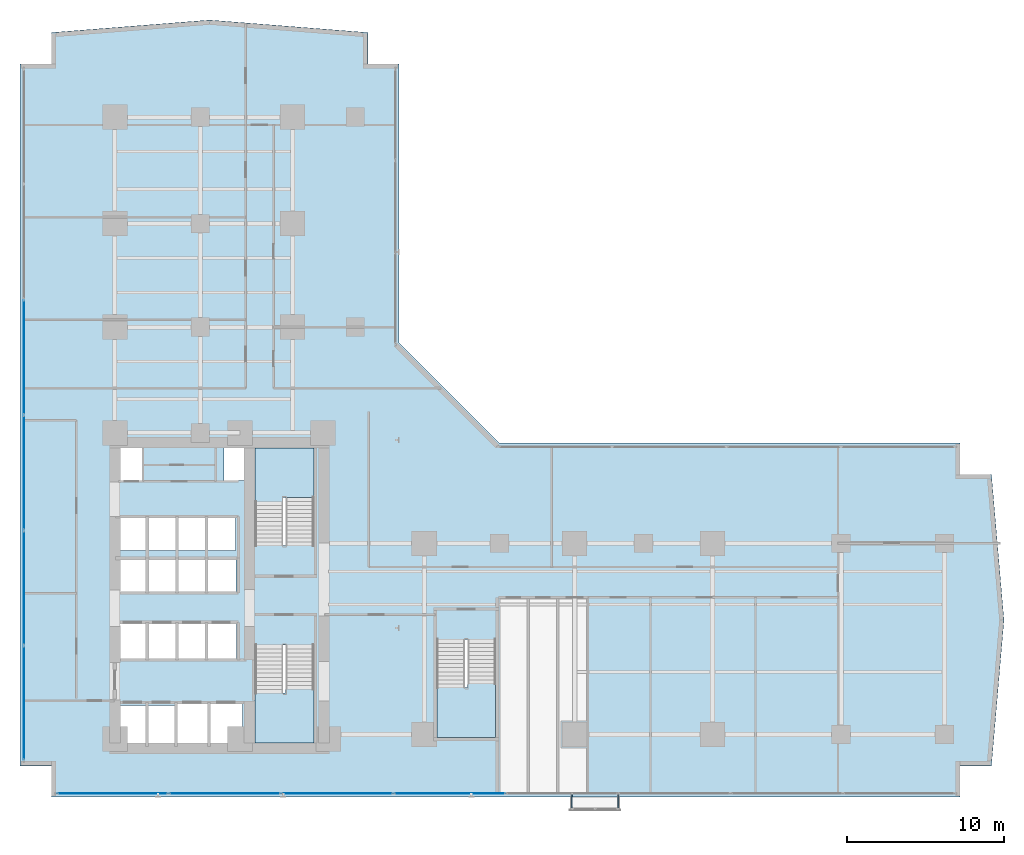
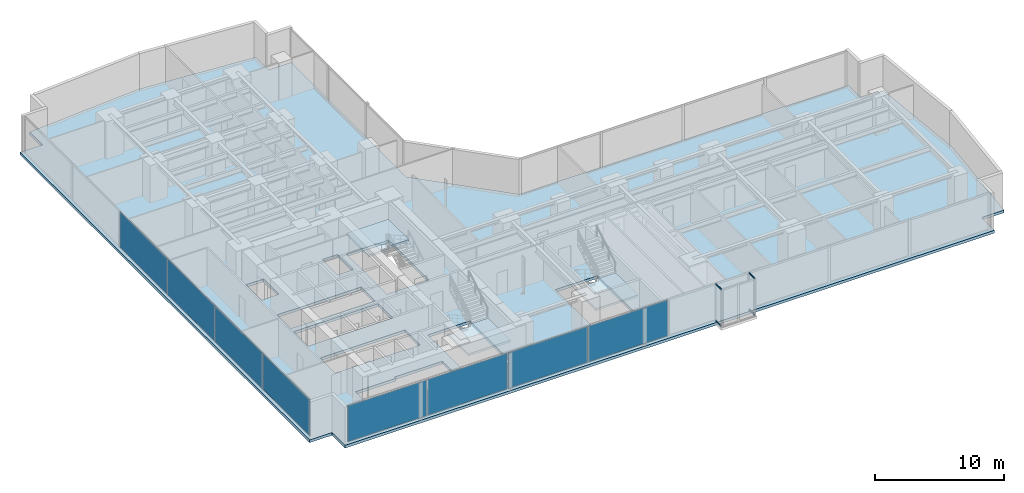
# One storey, part 20 of 28: 8 plates, 4 members, 4 slabs, 7 elements without a shape of their own.
"""IFC4 building model written with IfcOpenShell, lengths in metres."""

import ifcopenshell
import ifcopenshell.guid

model = None  # the IFC model being written
_history = None  # IfcOwnerHistory: only IFC2X3 demands one
_inside = {}  # id of a spatial element -> (the spatial element, [elements in it])
_under = {}  # id of a project, library or spatial element -> (it, [spatial elements below it])
_declared = {}  # id of a project -> (the project, [libraries it declares])
_typed = {}  # id of a type object -> (the type object, [elements of that type])
_made_of = {}  # id of a material, layer set ... -> (it, [elements and type objects made of it])


def new_model(schema):
    """Start an empty IFC model of exactly this schema.

    Asked for "IFC4X3", IfcOpenShell would pick the latest addendum, in which some entities
    have other attributes; the version numbers below select the first issue.
    IFC2X3 requires an IfcOwnerHistory on every rooted entity: one is made here for all.
    """
    global model, _history
    if schema == "IFC4X3":
        model = ifcopenshell.file(schema_version=(4, 3, 0, 0))
    else:
        model = ifcopenshell.file(schema=schema)
    _inside.clear()
    _under.clear()
    _declared.clear()
    _typed.clear()
    _made_of.clear()
    _history = None
    if model.schema == "IFC2X3":
        org = make("IfcOrganization", Name="unknown")
        user = make(
            "IfcPersonAndOrganization",
            ThePerson=make("IfcPerson", FamilyName="unknown"),
            TheOrganization=org,
        )
        app = make(
            "IfcApplication",
            ApplicationDeveloper=org,
            Version="unknown",
            ApplicationFullName="unknown",
            ApplicationIdentifier="unknown",
        )
        _history = make(
            "IfcOwnerHistory",
            OwningUser=user,
            OwningApplication=app,
            ChangeAction="ADDED",
            CreationDate=0,
        )
    return model


def make(cls, **values):
    """One entity of the class cls with the attributes given. An attribute that is None is left unset."""
    return model.create_entity(
        cls, **{name: value for name, value in values.items() if value is not None}
    )


def rooted(cls, **values):
    """An entity with a GlobalId (a new one), such as an element, a storey or a relation."""
    return make(cls, GlobalId=ifcopenshell.guid.new(), OwnerHistory=_history, **values)


def si_unit(unit_type, name, prefix=None):
    """IfcSIUnit, for example si_unit("LENGTHUNIT", "METRE", prefix="MILLI")."""
    return make("IfcSIUnit", UnitType=unit_type, Prefix=prefix, Name=name)


def assignment(units):
    """IfcUnitAssignment: the units of a project."""
    return None if units is None else make("IfcUnitAssignment", Units=units)


def point(xyz):
    """IfcCartesianPoint."""
    return None if xyz is None else make("IfcCartesianPoint", Coordinates=xyz)


def direction(xyz):
    """IfcDirection."""
    return None if xyz is None else make("IfcDirection", DirectionRatios=xyz)


def frame(location, z_axis=None, x_axis=None):
    """IfcAxis2Placement3D, a coordinate frame: its origin and axes. An axis left out is left unset."""
    return make(
        "IfcAxis2Placement3D",
        Location=point(location),
        Axis=direction(z_axis),
        RefDirection=direction(x_axis),
    )


def frame_2d(location, x_axis=None):
    """IfcAxis2Placement2D, a coordinate frame in the plane: its origin and x axis."""
    return make(
        "IfcAxis2Placement2D", Location=point(location), RefDirection=direction(x_axis)
    )


def origin():
    """The frame at (0, 0, 0) with its axes left unset."""
    return frame((0.0, 0.0, 0.0))


def origin_with_axes():
    """The frame at (0, 0, 0) with the z axis (0, 0, 1) and the x axis (1, 0, 0) written out."""
    return frame((0.0, 0.0, 0.0), z_axis=(0.0, 0.0, 1.0), x_axis=(1.0, 0.0, 0.0))


def origin_2d():
    """The frame at (0, 0) in the plane with its x axis left unset."""
    return frame_2d((0.0, 0.0))


def place(relative_to, where):
    """IfcLocalPlacement: puts the frame where relative to a parent placement (None: the world)."""
    return make(
        "IfcLocalPlacement", PlacementRelTo=relative_to, RelativePlacement=where
    )


def context(
    kind, dimensions, precision=None, world=None, true_north=None, identifier=None
):
    """IfcGeometricRepresentationContext, for example the 3D "Model" context."""
    return make(
        "IfcGeometricRepresentationContext",
        ContextIdentifier=identifier,
        ContextType=kind,
        CoordinateSpaceDimension=dimensions,
        Precision=precision,
        WorldCoordinateSystem=world,
        TrueNorth=true_north,
    )


def subcontext(parent, identifier, kind, view, scale=None):
    """IfcGeometricRepresentationSubContext, for example "Body" below "Model"."""
    return make(
        "IfcGeometricRepresentationSubContext",
        ContextIdentifier=identifier,
        ContextType=kind,
        ParentContext=parent,
        TargetScale=scale,
        TargetView=view,
    )


def project(units=None, contexts=None):
    """IfcProject with its units and contexts."""
    return rooted(
        "IfcProject",
        Name="project",
        RepresentationContexts=contexts,
        UnitsInContext=assignment(units),
    )


def spatial(cls, under=None, at=None, **own):
    """A site, building, storey or space (cls), placed at a placement, below another one or the project."""
    s = rooted(cls, ObjectPlacement=at, **own)
    if under is not None:
        _under.setdefault(under.id(), (under, []))[1].append(s)
    return s


def polyline(points):
    """IfcPolyline through the points."""
    return make("IfcPolyline", Points=[point(p) for p in points])


def profile(cls, at=None, kind="AREA", **sizes):
    """A parametric profile (cls). Its sizes go by their IFC names, for example OverallWidth=200.0."""
    return make(cls, ProfileType=kind, Position=at, **sizes)


def rectangle(**sizes):
    """IfcRectangleProfileDef."""
    return profile("IfcRectangleProfileDef", **sizes)


def hollow_rectangle(**sizes):
    """IfcRectangleHollowProfileDef."""
    return profile("IfcRectangleHollowProfileDef", **sizes)


def outline(outer, holes=None, kind="AREA"):
    """IfcArbitraryClosedProfileDef: a profile drawn as a closed curve; with holes, ...WithVoids."""
    if holes is None:
        return make("IfcArbitraryClosedProfileDef", ProfileType=kind, OuterCurve=outer)
    return make(
        "IfcArbitraryProfileDefWithVoids",
        ProfileType=kind,
        OuterCurve=outer,
        InnerCurves=holes,
    )


def extrude(swept, where, along, depth):
    """IfcExtrudedAreaSolid: the profile swept, set in the frame where, extruded along a direction by depth."""
    return make(
        "IfcExtrudedAreaSolid",
        SweptArea=swept,
        Position=where,
        ExtrudedDirection=direction(along),
        Depth=depth,
    )


def shape(context_of_items, identifier, shape_type, items):
    """IfcShapeRepresentation: the items that make up one representation, for example the "Body"."""
    return make(
        "IfcShapeRepresentation",
        ContextOfItems=context_of_items,
        RepresentationIdentifier=identifier,
        RepresentationType=shape_type,
        Items=items,
    )


def source(mapping_origin, context_of_items, identifier, shape_type, items):
    """IfcRepresentationMap: a shape defined once, which mapped items show again and again."""
    return make(
        "IfcRepresentationMap",
        MappingOrigin=mapping_origin,
        MappedRepresentation=shape(context_of_items, identifier, shape_type, items),
    )


def transform(
    local_origin,
    x_axis=None,
    y_axis=None,
    z_axis=None,
    scale=None,
    scale2=None,
    scale3=None,
    uniform=True,
):
    """IfcCartesianTransformationOperator3D, or its non-uniform kind. x_axis, y_axis, z_axis: its Axis1, 2, 3."""
    if uniform:
        return make(
            "IfcCartesianTransformationOperator3D",
            Axis1=direction(x_axis),
            Axis2=direction(y_axis),
            LocalOrigin=point(local_origin),
            Scale=scale,
            Axis3=direction(z_axis),
        )
    return make(
        "IfcCartesianTransformationOperator3DnonUniform",
        Axis1=direction(x_axis),
        Axis2=direction(y_axis),
        LocalOrigin=point(local_origin),
        Scale=scale,
        Axis3=direction(z_axis),
        Scale2=scale2,
        Scale3=scale3,
    )


def mapped(mapping_source, mapping_target):
    """IfcMappedItem: shows the shape of a source again, moved by a transform."""
    return make(
        "IfcMappedItem", MappingSource=mapping_source, MappingTarget=mapping_target
    )


def material(Name=None, Category=None):
    """IfcMaterial."""
    return make("IfcMaterial", Name=Name, Category=Category)


def layer(
    of_material, thickness, ventilated=None, Name=None, Category=None, Priority=None
):
    """IfcMaterialLayer: one layer of a wall or slab, of a material (None: an air gap)."""
    return make(
        "IfcMaterialLayer",
        Material=of_material,
        LayerThickness=thickness,
        IsVentilated=ventilated,
        Name=Name,
        Category=Category,
        Priority=Priority,
    )


def layer_set(layers, Name=None):
    """IfcMaterialLayerSet."""
    return make("IfcMaterialLayerSet", MaterialLayers=layers, LayerSetName=Name)


def material_profile(
    of_material, cross_section, Name=None, Category=None, Priority=None
):
    """IfcMaterialProfile: a cross section and its material."""
    return make(
        "IfcMaterialProfile",
        Name=Name,
        Material=of_material,
        Profile=cross_section,
        Priority=Priority,
        Category=Category,
    )


def profile_set(profiles, Name=None, composite=None):
    """IfcMaterialProfileSet."""
    return make(
        "IfcMaterialProfileSet",
        Name=Name,
        MaterialProfiles=profiles,
        CompositeProfile=composite,
    )


def made_of(thing, what):
    """Note that an element or type object is made of a material, layer set ...; save() writes the relation."""
    if what is not None:
        _made_of.setdefault(what.id(), (what, []))[1].append(thing)
    return thing


def type_object(cls, material=None, **own):
    """A type object (cls), such as IfcWallType, which elements share."""
    return made_of(rooted(cls, **own), material)


def element(
    cls,
    number,
    at=None,
    inside=None,
    cuts=None,
    type_object=None,
    material=None,
    context=None,
    identifier="Body",
    shape_type=None,
    held_by="IfcProductDefinitionShape",
    body=None,
    shapes=None,
    **own,
):
    """One element of the class cls, such as IfcWall. Its Tag is "e" and its number.

    at: its placement. inside: the storey or other place that contains it. cuts: it is an
    opening in that element (IfcRelVoidsElement). A single representation is given by context,
    identifier, shape_type and body (its items); several are given by shapes. held_by: the class
    of the entity that holds the representations. save() writes the other relations.
    """
    e = rooted(cls, Tag="e%d" % number, ObjectPlacement=at, **own)
    if body is not None:
        shapes = [shape(context, identifier, shape_type, body)]
    if shapes is not None:
        e.Representation = make(held_by, Representations=shapes)
    if inside is not None:
        _inside.setdefault(inside.id(), (inside, []))[1].append(e)
    if cuts is not None:
        rooted(
            "IfcRelVoidsElement", RelatingBuildingElement=cuts, RelatedOpeningElement=e
        )
    if type_object is not None:
        _typed.setdefault(type_object.id(), (type_object, []))[1].append(e)
    return made_of(e, material)


def aggregate(whole, parts):
    """IfcRelAggregates: a whole, such as a stair, and the parts it consists of."""
    return rooted("IfcRelAggregates", RelatingObject=whole, RelatedObjects=parts)


def save(model, path):
    """Write the relations noted so far, then the file.

    IfcRelAggregates (storeys below a building ...), IfcRelContainedInSpatialStructure (elements
    in a storey), IfcRelDefinesByType, IfcRelAssociatesMaterial and IfcRelDeclares: one each for
    every whole, place, type object, material and project.
    """
    for whole, parts in _under.values():
        aggregate(whole, parts)
    for where, things in _inside.values():
        rooted(
            "IfcRelContainedInSpatialStructure",
            RelatedElements=things,
            RelatingStructure=where,
        )
    for kind, things in _typed.values():
        rooted("IfcRelDefinesByType", RelatedObjects=things, RelatingType=kind)
    for what, things in _made_of.values():
        rooted("IfcRelAssociatesMaterial", RelatedObjects=things, RelatingMaterial=what)
    for by, libraries in _declared.values():
        rooted("IfcRelDeclares", RelatingContext=by, RelatedDefinitions=libraries)
    model.write(path)


model = new_model("IFC4")

# Units and contexts
model_context = context("Model", 3, precision=1e-05, world=origin(), true_north=direction((0.0, 1.0)))
body_context = subcontext(model_context, "Body", "Model", "MODEL_VIEW")
ifc_project = project(units=[si_unit("LENGTHUNIT", "METRE"), si_unit("AREAUNIT", "SQUARE_METRE"), si_unit("VOLUMEUNIT", "CUBIC_METRE"), si_unit("PLANEANGLEUNIT", "RADIAN"), si_unit("MASSUNIT", "GRAM", prefix="KILO")], contexts=[model_context])

# Site, building, storey
site_placement = place(None, origin())
site = spatial("IfcSite", under=ifc_project, at=site_placement, CompositionType="ELEMENT")
building_placement = place(site_placement, origin())
building = spatial("IfcBuilding", under=site, at=building_placement, Name="Kolvaren Waterfront Exchange", CompositionType="ELEMENT")
storey_placement = place(building_placement, frame((0.0, 0.0, 56.199951171875)))
storey = spatial("IfcBuildingStorey", under=building, at=storey_placement, Name="L14", CompositionType="ELEMENT", Elevation=56.199951171875)

# Curtain wall, members
ifc_material_1 = material(Name="Anodised bronze aluminium 6063-T6", Category="aluminium")
ifc_layer_1 = layer(ifc_material_1, 0.219970703125, Name="Anodised bronze aluminium 6063-T6")
ifc_layer_set_1 = layer_set([ifc_layer_1], Name="Anodised bronze aluminium 6063-T6")
curtain_wall_type_1 = type_object("IfcCurtainWallType", Name="ARC-CW-SYS3", PredefinedType="USERDEFINED", material=ifc_layer_set_1)
curtain_wall_1_placement = place(storey_placement, origin())
curtain_wall_1 = element("IfcCurtainWall", 1, at=curtain_wall_1_placement, inside=storey, type_object=curtain_wall_type_1, Name="L14 stick curtain wall CW3 (CW-L14-BOX-W)", ObjectType="STICK CURTAIN WALL", PredefinedType="USERDEFINED")
ifc_material_profile = material_profile(ifc_material_1, hollow_rectangle(XDim=0.06494140625, YDim=0.1298828125, WallThickness=0.00390625, at=origin_2d()), Name="ALU-TRN-130x65x4")
ifc_profile_set = profile_set([ifc_material_profile], Name="Anodised bronze aluminium 6063-T6")
member_type = type_object("IfcMemberType", Name="ARC-CWT-130", PredefinedType="USERDEFINED", material=ifc_profile_set)
shared_shape_1 = source(origin_with_axes(), body_context, "Body", "SweptSolid", [
    extrude(hollow_rectangle(XDim=0.06494140625, YDim=0.1298828125, WallThickness=0.00390625, at=origin_2d()), origin(), (0.0, 0.0, 1.0), 0.830078125),
])
member_1_placement = place(storey_placement, frame((36.610107421875, 1.364990234375, 0.032470703125), z_axis=(0.0, -1.0, 0.0), x_axis=(1.0, 0.0, 0.0)))
member_1 = element("IfcMember", 2, at=member_1_placement, type_object=member_type, Name="CW3 transom 1.1", ObjectType="TRANSOM", PredefinedType="USERDEFINED", context=body_context, shape_type="MappedRepresentation", body=[
    mapped(shared_shape_1, transform((0.0, 0.0, 0.0), x_axis=(1.0, 0.0, 0.0), y_axis=(0.0, 1.0, 0.0), z_axis=(0.0, 0.0, 1.0), scale=1.0)),
])
member_2_placement = place(storey_placement, frame((36.610107421875, 1.364990234375, 3.507568359375), z_axis=(0.0, -1.0, 0.0), x_axis=(1.0, 0.0, 0.0)))
member_2 = element("IfcMember", 3, at=member_2_placement, type_object=member_type, Name="CW3 transom 1.2", ObjectType="TRANSOM", PredefinedType="USERDEFINED", context=body_context, shape_type="MappedRepresentation", body=[
    mapped(shared_shape_1, transform((0.0, 0.0, 0.0), x_axis=(1.0, 0.0, 0.0), y_axis=(0.0, 1.0, 0.0), z_axis=(0.0, 0.0, 1.0), scale=1.0)),
])
aggregate(curtain_wall_1, [member_1, member_2])

curtain_wall_2_placement = place(storey_placement, origin())
curtain_wall_2 = element("IfcCurtainWall", 4, at=curtain_wall_2_placement, inside=storey, type_object=curtain_wall_type_1, Name="L14 stick curtain wall CW3 (CW-L14-BOX-E)", ObjectType="STICK CURTAIN WALL", PredefinedType="USERDEFINED")
member_3_placement = place(storey_placement, frame((39.590087890625, 0.534912109375, 0.032470703125), z_axis=(0.0, 1.0, 0.0), x_axis=(-1.0, 0.0, 0.0)))
member_3 = element("IfcMember", 5, at=member_3_placement, type_object=member_type, Name="CW3 transom 1.1", ObjectType="TRANSOM", PredefinedType="USERDEFINED", context=body_context, shape_type="MappedRepresentation", body=[
    mapped(shared_shape_1, transform((0.0, 0.0, 0.0), x_axis=(1.0, 0.0, 0.0), y_axis=(0.0, 1.0, 0.0), z_axis=(0.0, 0.0, 1.0), scale=1.0)),
])
member_4_placement = place(storey_placement, frame((39.590087890625, 0.534912109375, 3.507568359375), z_axis=(0.0, 1.0, 0.0), x_axis=(-1.0, 0.0, 0.0)))
member_4 = element("IfcMember", 6, at=member_4_placement, type_object=member_type, Name="CW3 transom 1.2", ObjectType="TRANSOM", PredefinedType="USERDEFINED", context=body_context, shape_type="MappedRepresentation", body=[
    mapped(shared_shape_1, transform((0.0, 0.0, 0.0), x_axis=(1.0, 0.0, 0.0), y_axis=(0.0, 1.0, 0.0), z_axis=(0.0, 0.0, 1.0), scale=1.0)),
])
aggregate(curtain_wall_2, [member_3, member_4])

# Stair, slab
ifc_material_2 = material(Name="Concrete C40/50", Category="concrete")
stair_type = type_object("IfcStairType", Name="ARC-STAIR-3800", PredefinedType="HALF_TURN_STAIR", material=ifc_material_2)
stair_1_placement = place(storey_placement, origin())
stair_1 = element("IfcStair", 7, at=stair_1_placement, inside=storey, type_object=stair_type, Name="L14 Smoke-proof exit stair ST1", PredefinedType="HALF_TURN_STAIR")
ifc_layer_2 = layer(ifc_material_2, 0.199951171875, Name="Concrete C40/50")
ifc_layer_set_2 = layer_set([ifc_layer_2], Name="Concrete C40/50")
slab_type_1 = type_object("IfcSlabType", Name="STR-LANDING-200", PredefinedType="LANDING", material=ifc_layer_set_2)
slab_1_placement = place(storey_placement, frame((0.0, 0.0, 1.776123046875)))
slab_1 = element("IfcSlab", 8, at=slab_1_placement, type_object=slab_type_1, Name="ST1 landing 1", PredefinedType="LANDING", context=body_context, shape_type="SweptSolid", body=[
    extrude(outline(polyline([(16.39990234375, 7.840087890625), (16.39990234375, 4.64990234375), (20.159912109375, 4.64990234375), (20.159912109375, 8.10009765625), (18.360107421875, 8.10009765625), (18.360107421875, 7.840087890625), (16.39990234375, 7.840087890625)])), origin(), (0.0, 0.0, 1.0), 0.199951171875),
])
aggregate(stair_1, [slab_1])

stair_2_placement = place(storey_placement, origin())
stair_2 = element("IfcStair", 9, at=stair_2_placement, inside=storey, type_object=stair_type, Name="L14 Smoke-proof exit stair ST2", PredefinedType="HALF_TURN_STAIR")
slab_2_placement = place(storey_placement, frame((0.0, 0.0, 1.776123046875)))
slab_2 = element("IfcSlab", 10, at=slab_2_placement, type_object=slab_type_1, Name="ST2 landing 1", PredefinedType="LANDING", context=body_context, shape_type="SweptSolid", body=[
    extrude(outline(polyline([(20.159912109375, 20.31005859375), (20.159912109375, 23.5), (16.39990234375, 23.5), (16.39990234375, 20.050048828125), (18.199951171875, 20.050048828125), (18.199951171875, 20.31005859375), (20.159912109375, 20.31005859375)])), origin(), (0.0, 0.0, 1.0), 0.199951171875),
])
aggregate(stair_2, [slab_2])

stair_3_placement = place(storey_placement, origin())
stair_3 = element("IfcStair", 11, at=stair_3_placement, inside=storey, type_object=stair_type, Name="L14 Exit stair ST3", PredefinedType="HALF_TURN_STAIR")
slab_3_placement = place(storey_placement, frame((0.0, 0.0, 1.776123046875)))
slab_3 = element("IfcSlab", 12, at=slab_3_placement, type_object=slab_type_1, Name="ST3 landing 1", PredefinedType="LANDING", context=body_context, shape_type="SweptSolid", body=[
    extrude(outline(polyline([(28.0, 8.18994140625), (28.0, 5.0), (31.760009765625, 5.0), (31.760009765625, 8.449951171875), (29.9599609375, 8.449951171875), (29.9599609375, 8.18994140625), (28.0, 8.18994140625)])), origin(), (0.0, 0.0, 1.0), 0.199951171875),
])
aggregate(stair_3, [slab_3])

# Slab
ifc_layer_3 = layer(ifc_material_2, 0.260009765625, Name="Concrete C40/50")
ifc_layer_set_3 = layer_set([ifc_layer_3], Name="Concrete C40/50")
slab_type_2 = type_object("IfcSlabType", Name="STR-SLAB-260", PredefinedType="FLOOR", material=ifc_layer_set_3)
slab_4_placement = place(storey_placement, frame((0.0, 0.0, -0.260009765625)))
element("IfcSlab", 13, at=slab_4_placement, inside=storey, type_object=slab_type_2, Name="L14 structural floor slab", PredefinedType="FLOOR", context=body_context, shape_type="SweptSolid", body=[
    extrude(outline(polyline([(3.39990234375, 1.199951171875), (61.39990234375, 1.199951171875), (61.39990234375, 3.199951171875), (63.39990234375, 3.199951171875), (64.199951171875, 12.5), (63.39990234375, 21.800048828125), (61.39990234375, 21.800048828125), (61.39990234375, 23.800048828125), (32.0, 23.800048828125), (25.60009765625, 30.199951171875), (25.60009765625, 48.0), (23.60009765625, 48.0), (23.60009765625, 50.0), (13.5, 50.800048828125), (3.39990234375, 50.0), (3.39990234375, 48.0), (1.39990234375, 48.0), (1.39990234375, 3.199951171875), (3.39990234375, 3.199951171875), (3.39990234375, 1.199951171875)]), holes=[polyline([(11.320068359375, 7.260009765625), (15.610107421875, 7.260009765625), (15.610107421875, 4.5400390625), (7.719970703125, 4.5400390625), (7.719970703125, 7.06005859375), (11.320068359375, 7.06005859375), (11.320068359375, 7.260009765625)]), polyline([(20.159912109375, 4.64990234375), (16.39990234375, 4.64990234375), (16.39990234375, 10.89990234375), (20.159912109375, 10.89990234375), (20.159912109375, 4.64990234375)]), polyline([(31.760009765625, 5.0), (28.0, 5.0), (28.0, 11.25), (31.760009765625, 11.25), (31.760009765625, 5.0)]), polyline([(15.2099609375, 10.0400390625), (7.6201171875, 10.0400390625), (7.6201171875, 12.360107421875), (15.2099609375, 12.360107421875), (15.2099609375, 10.0400390625)]), polyline([(7.64501953125, 16.4599609375), (15.18505859375, 16.4599609375), (15.18505859375, 14.239990234375), (7.64501953125, 14.239990234375), (7.64501953125, 16.4599609375)]), polyline([(15.159912109375, 16.93994140625), (7.669921875, 16.93994140625), (7.669921875, 19.06005859375), (15.159912109375, 19.06005859375), (15.159912109375, 16.93994140625)]), polyline([(16.39990234375, 23.5), (20.159912109375, 23.5), (20.159912109375, 17.25), (16.39990234375, 17.25), (16.39990234375, 23.5)]), polyline([(7.60009765625, 23.780029296875), (9.179931640625, 23.780029296875), (9.179931640625, 21.419921875), (7.60009765625, 21.419921875), (7.60009765625, 23.780029296875)]), polyline([(15.800048828125, 23.780029296875), (15.800048828125, 21.419921875), (14.419921875, 21.419921875), (14.419921875, 23.780029296875), (15.800048828125, 23.780029296875)])]), origin(), (0.0, 0.0, 1.0), 0.260009765625),
])

# Curtain wall, plates
ifc_layer_4 = layer(ifc_material_1, 0.219970703125, Name="Anodised bronze aluminium 6063-T6")
ifc_layer_set_4 = layer_set([ifc_layer_4], Name="Anodised bronze aluminium 6063-T6")
curtain_wall_type_2 = type_object("IfcCurtainWallType", Name="ARC-CW-SYS1", PredefinedType="USERDEFINED", material=ifc_layer_set_4)
curtain_wall_3_placement = place(storey_placement, origin())
curtain_wall_3 = element("IfcCurtainWall", 14, at=curtain_wall_3_placement, inside=storey, type_object=curtain_wall_type_2, Name="L14 stick curtain wall CW1 (CW-L14-S)", ObjectType="STICK CURTAIN WALL", PredefinedType="USERDEFINED")
ifc_material_3 = material(Name="Bronze solar control vision glass", Category="aluminium")
ifc_layer_5 = layer(ifc_material_3, 0.028076171875, Name="Bronze solar control vision glass")
ifc_layer_set_5 = layer_set([ifc_layer_5], Name="Bronze solar control vision glass")
plate_type_1 = type_object("IfcPlateType", Name="ARC-CWP-28", PredefinedType="CURTAIN_PANEL", material=ifc_layer_set_5)
shared_shape_2 = source(origin_with_axes(), body_context, "Body", "SweptSolid", [
    extrude(rectangle(XDim=7.054931640625, YDim=0.028076171875, at=origin_2d()), origin(), (0.0, 0.0, 1.0), 3.389892578125),
])
plate_1_placement = place(storey_placement, frame((7.3076171875, 1.43994140625, 0.0751953125), z_axis=(0.0, 0.0, 1.0), x_axis=(1.0, 0.0, 0.0)))
plate_1 = element("IfcPlate", 15, at=plate_1_placement, type_object=plate_type_1, Name="CW1 panel 1.1", PredefinedType="CURTAIN_PANEL", context=body_context, shape_type="MappedRepresentation", body=[
    mapped(shared_shape_2, transform((0.0, 0.0, 0.0), x_axis=(1.0, 0.0, 0.0), y_axis=(0.0, 1.0, 0.0), z_axis=(0.0, 0.0, 1.0), scale=1.0)),
])
shared_shape_3 = source(origin_with_axes(), body_context, "Body", "SweptSolid", [
    extrude(rectangle(XDim=7.094970703125, YDim=0.028076171875, at=origin_2d()), origin(), (0.0, 0.0, 1.0), 3.389892578125),
])
plate_2_placement = place(storey_placement, frame((14.46240234375, 1.43994140625, 0.0751953125), z_axis=(0.0, 0.0, 1.0), x_axis=(1.0, 0.0, 0.0)))
plate_2 = element("IfcPlate", 16, at=plate_2_placement, type_object=plate_type_1, Name="CW1 panel 2.1", PredefinedType="CURTAIN_PANEL", context=body_context, shape_type="MappedRepresentation", body=[
    mapped(shared_shape_3, transform((0.0, 0.0, 0.0), x_axis=(1.0, 0.0, 0.0), y_axis=(0.0, 1.0, 0.0), z_axis=(0.0, 0.0, 1.0), scale=1.0)),
])
plate_3_placement = place(storey_placement, frame((21.637451171875, 1.43994140625, 0.0751953125), z_axis=(0.0, 0.0, 1.0), x_axis=(1.0, 0.0, 0.0)))
plate_3 = element("IfcPlate", 17, at=plate_3_placement, type_object=plate_type_1, Name="CW1 panel 3.1", PredefinedType="CURTAIN_PANEL", context=body_context, shape_type="MappedRepresentation", body=[
    mapped(shared_shape_3, transform((0.0, 0.0, 0.0), x_axis=(1.0, 0.0, 0.0), y_axis=(0.0, 1.0, 0.0), z_axis=(0.0, 0.0, 1.0), scale=1.0)),
])
plate_4_placement = place(storey_placement, frame((28.8125, 1.43994140625, 0.0751953125), z_axis=(0.0, 0.0, 1.0), x_axis=(1.0, 0.0, 0.0)))
plate_4 = element("IfcPlate", 18, at=plate_4_placement, type_object=plate_type_1, Name="CW1 panel 4.1", PredefinedType="CURTAIN_PANEL", context=body_context, shape_type="MappedRepresentation", body=[
    mapped(shared_shape_3, transform((0.0, 0.0, 0.0), x_axis=(1.0, 0.0, 0.0), y_axis=(0.0, 1.0, 0.0), z_axis=(0.0, 0.0, 1.0), scale=1.0)),
])
aggregate(curtain_wall_3, [plate_1, plate_2, plate_3, plate_4])

ifc_material_4 = material(Name="Anodised aluminium 6063-T6", Category="aluminium")
ifc_layer_6 = layer(ifc_material_4, 0.219970703125, Name="Anodised aluminium 6063-T6")
ifc_layer_set_6 = layer_set([ifc_layer_6], Name="Anodised aluminium 6063-T6")
curtain_wall_type_3 = type_object("IfcCurtainWallType", Name="ARC-CW-SYS2", PredefinedType="USERDEFINED", material=ifc_layer_set_6)
curtain_wall_4_placement = place(storey_placement, origin())
curtain_wall_4 = element("IfcCurtainWall", 19, at=curtain_wall_4_placement, inside=storey, type_object=curtain_wall_type_3, Name="L14 stick curtain wall CW2 (CW-L14-W)", ObjectType="STICK CURTAIN WALL", PredefinedType="USERDEFINED")
ifc_material_5 = material(Name="Acoustic laminated vision glass", Category="glass")
ifc_layer_7 = layer(ifc_material_5, 0.031982421875, Name="Acoustic laminated vision glass")
ifc_layer_set_7 = layer_set([ifc_layer_7], Name="Acoustic laminated vision glass")
plate_type_2 = type_object("IfcPlateType", Name="ARC-CWP-32", PredefinedType="CURTAIN_PANEL", material=ifc_layer_set_7)
shared_shape_4 = source(origin_with_axes(), body_context, "Body", "SweptSolid", [
    extrude(rectangle(XDim=7.24658203125, YDim=0.031982421875, at=origin_2d()), origin(), (0.0, 0.0, 1.0), 3.389892578125),
])
plate_5_placement = place(storey_placement, frame((1.639892578125, 7.203369140625, 0.0751953125), z_axis=(0.0, 0.0, 1.0), x_axis=(0.0, 1.0, 0.0)))
plate_5 = element("IfcPlate", 20, at=plate_5_placement, type_object=plate_type_2, Name="CW2 panel 1.1", PredefinedType="CURTAIN_PANEL", context=body_context, shape_type="MappedRepresentation", body=[
    mapped(shared_shape_4, transform((0.0, 0.0, 0.0), x_axis=(1.0, 0.0, 0.0), y_axis=(0.0, 1.0, 0.0), z_axis=(0.0, 0.0, 1.0), scale=1.0)),
])
shared_shape_5 = source(origin_with_axes(), body_context, "Body", "SweptSolid", [
    extrude(rectangle(XDim=7.28662109375, YDim=0.031982421875, at=origin_2d()), origin(), (0.0, 0.0, 1.0), 3.389892578125),
])
plate_6_placement = place(storey_placement, frame((1.639892578125, 14.550048828125, 0.0751953125), z_axis=(0.0, 0.0, 1.0), x_axis=(0.0, 1.0, 0.0)))
plate_6 = element("IfcPlate", 21, at=plate_6_placement, type_object=plate_type_2, Name="CW2 panel 2.1", PredefinedType="CURTAIN_PANEL", context=body_context, shape_type="MappedRepresentation", body=[
    mapped(shared_shape_5, transform((0.0, 0.0, 0.0), x_axis=(1.0, 0.0, 0.0), y_axis=(0.0, 1.0, 0.0), z_axis=(0.0, 0.0, 1.0), scale=1.0)),
])
plate_7_placement = place(storey_placement, frame((1.639892578125, 21.916748046875, 0.0751953125), z_axis=(0.0, 0.0, 1.0), x_axis=(0.0, 1.0, 0.0)))
plate_7 = element("IfcPlate", 22, at=plate_7_placement, type_object=plate_type_2, Name="CW2 panel 3.1", PredefinedType="CURTAIN_PANEL", context=body_context, shape_type="MappedRepresentation", body=[
    mapped(shared_shape_5, transform((0.0, 0.0, 0.0), x_axis=(1.0, 0.0, 0.0), y_axis=(0.0, 1.0, 0.0), z_axis=(0.0, 0.0, 1.0), scale=1.0)),
])
plate_8_placement = place(storey_placement, frame((1.639892578125, 29.283447265625, 0.0751953125), z_axis=(0.0, 0.0, 1.0), x_axis=(0.0, 1.0, 0.0)))
plate_8 = element("IfcPlate", 23, at=plate_8_placement, type_object=plate_type_2, Name="CW2 panel 4.1", PredefinedType="CURTAIN_PANEL", context=body_context, shape_type="MappedRepresentation", body=[
    mapped(shared_shape_5, transform((0.0, 0.0, 0.0), x_axis=(1.0, 0.0, 0.0), y_axis=(0.0, 1.0, 0.0), z_axis=(0.0, 0.0, 1.0), scale=1.0)),
])
aggregate(curtain_wall_4, [plate_5, plate_6, plate_7, plate_8])

save(model, "model.ifc")
